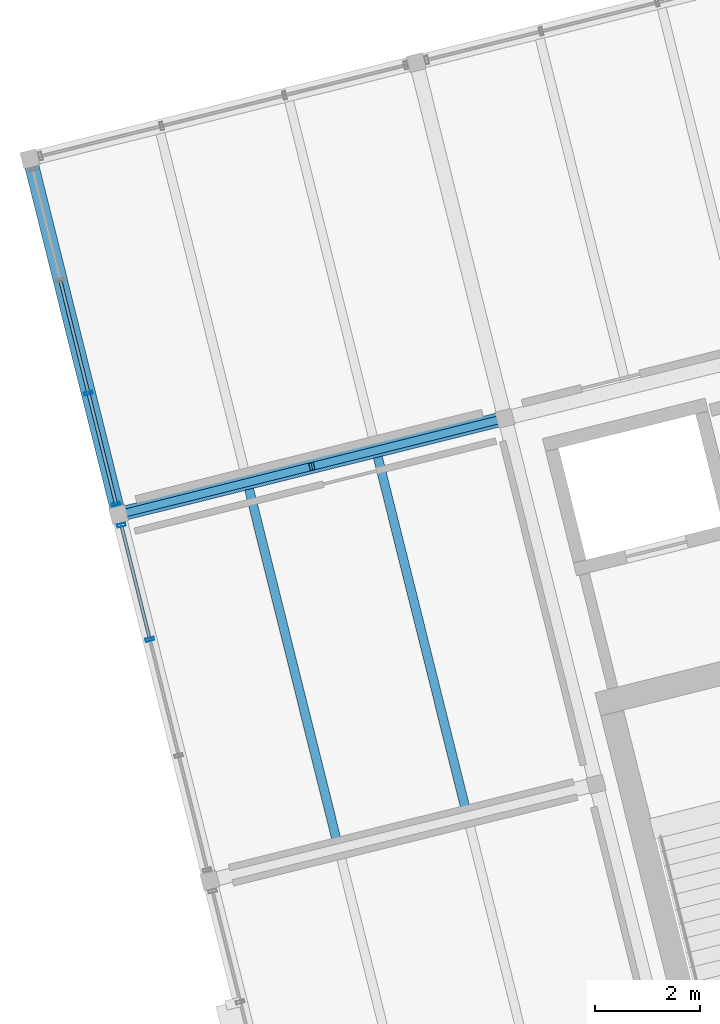
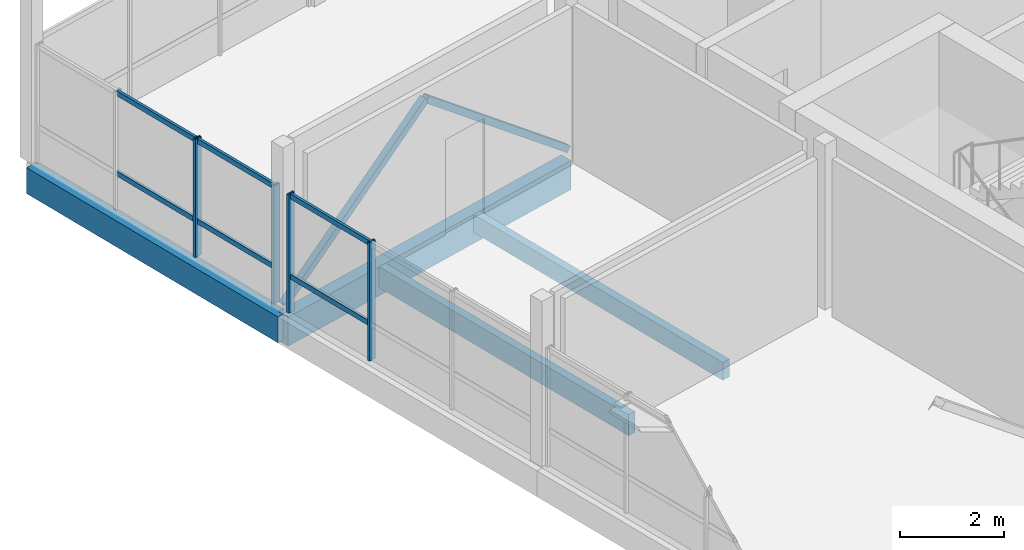
# One storey, part 9 of 25: 12 members, 4 beams, 2 elements without a shape of their own.
"""IFC4 building model written with IfcOpenShell, lengths in metres."""

from ifc_helpers import new_model, si_unit, direction, frame, origin, origin_2d, place, context, subcontext, project, spatial, rectangle, hollow_rectangle, extrude, material, layer, layer_set, material_profile, profile_set, type_object, element, aggregate, save


model = new_model("IFC4")

# Units and contexts
model_context = context("Model", 3, precision=1e-05, world=origin(), true_north=direction((0.0, 1.0)))
body_context = subcontext(model_context, "Body", "Model", "MODEL_VIEW")
ifc_project = project(units=[si_unit("LENGTHUNIT", "METRE"), si_unit("AREAUNIT", "SQUARE_METRE"), si_unit("VOLUMEUNIT", "CUBIC_METRE"), si_unit("PLANEANGLEUNIT", "RADIAN"), si_unit("MASSUNIT", "GRAM", prefix="KILO")], contexts=[model_context])

# Site, building, storey
site_placement = place(None, origin())
site = spatial("IfcSite", under=ifc_project, at=site_placement, CompositionType="ELEMENT")
building_placement = place(site_placement, origin())
building = spatial("IfcBuilding", under=site, at=building_placement, Name="Meriwether Solvik Hall", CompositionType="ELEMENT")
storey_placement = place(building_placement, frame((0.0, 0.0, 49.5)))
storey = spatial("IfcBuildingStorey", under=building, at=storey_placement, Name="L12", CompositionType="ELEMENT", Elevation=49.5)

# Beams
ifc_material_1 = material(Name="Glulam Douglas-Fir 24F-V8 GL28h", Category="wood")
ifc_material_profile_1 = material_profile(ifc_material_1, rectangle(XDim=0.27294921875, YDim=0.610107421875, at=origin_2d()), Name="GLB-273X610")
ifc_profile_set_1 = profile_set([ifc_material_profile_1], Name="Glulam Douglas-Fir 24F-V8 GL28h")
beam_type_1 = type_object("IfcBeamType", Name="BM-GL-273X610", PredefinedType="SPANDREL", material=ifc_profile_set_1)
beam_1_placement = place(storey_placement, frame((63.51953125, 61.576171875, -0.485107421875), z_axis=(-0.241911879182, 0.970298223594, 0.0), x_axis=(-0.970298223594, -0.241911879182, 0.0)))
element("IfcBeam", 1, at=beam_1_placement, inside=storey, type_object=beam_type_1, Name="Tower Girder T1:TD-TE (L12)", PredefinedType="SPANDREL", context=body_context, shape_type="SweptSolid", body=[
    extrude(rectangle(XDim=0.27294921875, YDim=0.610107421875, at=origin_2d()), origin(), (0.0, 0.0, 1.0), 7.0),
])
ifc_material_2 = material(Name="Glulam Douglas-Fir 24F-V8 GL28h", Category="wood")
ifc_material_profile_2 = material_profile(ifc_material_2, rectangle(XDim=0.27294921875, YDim=0.68505859375, at=origin_2d()), Name="GLB-273X685")
ifc_profile_set_2 = profile_set([ifc_material_profile_2], Name="Glulam Douglas-Fir 24F-V8 GL28h")
beam_type_2 = type_object("IfcBeamType", Name="BM-GL-273X685", PredefinedType="BEAM", material=ifc_profile_set_2)
beam_2_placement = place(storey_placement, frame((63.51953125, 61.576171875, -0.5224609375), z_axis=(0.970295366785, 0.241923337436, 0.0), x_axis=(-0.241923337436, 0.970295366785, 0.0)))
element("IfcBeam", 2, at=beam_2_placement, inside=storey, type_object=beam_type_2, Name="Tower Girder TD:T1-T2 (L12)", PredefinedType="BEAM", context=body_context, shape_type="SweptSolid", body=[
    extrude(rectangle(XDim=0.27294921875, YDim=0.68505859375, at=origin_2d()), origin(), (0.0, 0.0, 1.0), 7.60009765625),
])

# Curtain wall, members
ifc_material_3 = material(Name="Thermally Broken Anodised Aluminium 6063-T6 and Low-E Glass", Category="aluminium")
ifc_layer_1 = layer(ifc_material_3, 0.179931640625)
ifc_layer_set_1 = layer_set([ifc_layer_1], Name="Thermally Broken Anodised Aluminium 6063-T6 and Low-E Glass")
curtain_wall_type_1 = type_object("IfcCurtainWallType", Name="CW-UNIT-A", PredefinedType="USERDEFINED", material=ifc_layer_set_1)
curtain_wall_1_placement = place(storey_placement, origin())
curtain_wall_1 = element("IfcCurtainWall", 3, at=curtain_wall_1_placement, inside=storey, type_object=curtain_wall_type_1, Name="Curtain Wall E3_B2 (L12)", ObjectType="UNITISED CURTAIN WALL", PredefinedType="USERDEFINED")
ifc_material_4 = material(Name="Anodised Aluminium 6063-T6", Category="aluminium")
ifc_material_profile_3 = material_profile(ifc_material_4, hollow_rectangle(XDim=0.06005859375, YDim=0.159912109375, WallThickness=0.00390625, at=origin_2d()), Name="CWM-60X160")
ifc_profile_set_3 = profile_set([ifc_material_profile_3], Name="Anodised Aluminium 6063-T6")
member_type_1 = type_object("IfcMemberType", Name="CW-MUL-60X160", PredefinedType="MULLION", material=ifc_profile_set_3)
member_1_placement = place(storey_placement, frame((64.114013671875, 59.192626953125, 0.0), z_axis=(0.0, 0.0, 1.0), x_axis=(-0.241921877598, 0.970295730764, 0.0)))
member_1 = element("IfcMember", 4, at=member_1_placement, type_object=member_type_1, Name="Curtain Wall Mullion 3", PredefinedType="MULLION", context=body_context, shape_type="SweptSolid", body=[
    extrude(hollow_rectangle(XDim=0.06005859375, YDim=0.159912109375, WallThickness=0.00390625, at=origin_2d()), origin(), (0.0, 0.0, 1.0), 2.7900390625),
])
member_2_placement = place(storey_placement, frame((63.56982421875, 61.374755859375, 0.0), z_axis=(0.0, 0.0, 1.0), x_axis=(-0.241921877598, 0.970295730764, 0.0)))
member_2 = element("IfcMember", 5, at=member_2_placement, type_object=member_type_1, Name="Curtain Wall Mullion 4", PredefinedType="MULLION", context=body_context, shape_type="SweptSolid", body=[
    extrude(hollow_rectangle(XDim=0.06005859375, YDim=0.159912109375, WallThickness=0.00390625, at=origin_2d()), origin(), (0.0, 0.0, 1.0), 2.7900390625),
])

ifc_material_5 = material(Name="Thermally Broken Anodised Aluminium 6063-T6 and Low-E Glass", Category="aluminium")
ifc_layer_2 = layer(ifc_material_5, 0.179931640625)
ifc_layer_set_2 = layer_set([ifc_layer_2], Name="Thermally Broken Anodised Aluminium 6063-T6 and Low-E Glass")
curtain_wall_type_2 = type_object("IfcCurtainWallType", Name="CW-UNIT-B", PredefinedType="USERDEFINED", material=ifc_layer_set_2)
curtain_wall_2_placement = place(storey_placement, origin())
curtain_wall_2 = element("IfcCurtainWall", 6, at=curtain_wall_2_placement, inside=storey, type_object=curtain_wall_type_2, Name="Curtain Wall E3_B3 (L12)", ObjectType="UNITISED CURTAIN WALL", PredefinedType="USERDEFINED")
member_3_placement = place(storey_placement, frame((63.469482421875, 61.777587890625, 0.0), z_axis=(0.0, 0.0, 1.0), x_axis=(-0.241921784185, 0.970295754055, 0.0)))
member_3 = element("IfcMember", 7, at=member_3_placement, type_object=member_type_1, Name="Curtain Wall Mullion 1", PredefinedType="MULLION", context=body_context, shape_type="SweptSolid", body=[
    extrude(hollow_rectangle(XDim=0.06005859375, YDim=0.159912109375, WallThickness=0.00390625, at=origin_2d()), origin(), (0.0, 0.0, 1.0), 2.7900390625),
])
member_4_placement = place(storey_placement, frame((62.94140625, 63.89501953125, 0.0), z_axis=(0.0, 0.0, 1.0), x_axis=(-0.241921784185, 0.970295754055, 0.0)))
member_4 = element("IfcMember", 8, at=member_4_placement, type_object=member_type_1, Name="Curtain Wall Mullion 2", PredefinedType="MULLION", context=body_context, shape_type="SweptSolid", body=[
    extrude(hollow_rectangle(XDim=0.06005859375, YDim=0.159912109375, WallThickness=0.00390625, at=origin_2d()), origin(), (0.0, 0.0, 1.0), 2.7900390625),
])

# Member
ifc_material_6 = material(Name="Anodised Aluminium 6063-T6", Category="aluminium")
ifc_material_profile_4 = material_profile(ifc_material_6, hollow_rectangle(XDim=0.06005859375, YDim=0.1201171875, WallThickness=0.00390625, at=origin_2d()), Name="CWT-60X120")
ifc_profile_set_4 = profile_set([ifc_material_profile_4], Name="Anodised Aluminium 6063-T6")
member_type_2 = type_object("IfcMemberType", Name="CW-TRN-60X120", PredefinedType="USERDEFINED", material=ifc_profile_set_4)
member_5_placement = place(storey_placement, frame((64.114013671875, 59.192626953125, 0.8369140625), z_axis=(-0.241973642025, 0.970282822978, 0.0), x_axis=(-0.970282822978, -0.241973642025, 0.0)))
member_5 = element("IfcMember", 9, at=member_5_placement, type_object=member_type_2, Name="Curtain Wall Transom 3-sill", ObjectType="TRANSOM", PredefinedType="USERDEFINED", context=body_context, shape_type="SweptSolid", body=[
    extrude(hollow_rectangle(XDim=0.06005859375, YDim=0.1201171875, WallThickness=0.00390625, at=origin_2d()), origin(), (0.0, 0.0, 1.0), 2.2490234375),
])

member_6_placement = place(storey_placement, frame((64.114013671875, 59.192626953125, 2.72998046875), z_axis=(-0.241973642025, 0.970282822978, 0.0), x_axis=(-0.970282822978, -0.241973642025, 0.0)))
member_6 = element("IfcMember", 10, at=member_6_placement, type_object=member_type_2, Name="Curtain Wall Transom 3-head", ObjectType="TRANSOM", PredefinedType="USERDEFINED", context=body_context, shape_type="SweptSolid", body=[
    extrude(hollow_rectangle(XDim=0.06005859375, YDim=0.1201171875, WallThickness=0.00390625, at=origin_2d()), origin(), (0.0, 0.0, 1.0), 2.2490234375),
])

aggregate(curtain_wall_1, [member_1, member_2, member_5, member_6])

member_7_placement = place(storey_placement, frame((63.469482421875, 61.777587890625, 0.8369140625), z_axis=(-0.241982798004, 0.970280539571, 0.0), x_axis=(-0.970280539571, -0.241982798004, 0.0)))
member_7 = element("IfcMember", 11, at=member_7_placement, type_object=member_type_2, Name="Curtain Wall Transom 1-sill", ObjectType="TRANSOM", PredefinedType="USERDEFINED", context=body_context, shape_type="SweptSolid", body=[
    extrude(hollow_rectangle(XDim=0.06005859375, YDim=0.1201171875, WallThickness=0.00390625, at=origin_2d()), origin(), (0.0, 0.0, 1.0), 2.182373046875),
])

member_8_placement = place(storey_placement, frame((63.469482421875, 61.777587890625, 2.72998046875), z_axis=(-0.241982798004, 0.970280539571, 0.0), x_axis=(-0.970280539571, -0.241982798004, 0.0)))
member_8 = element("IfcMember", 12, at=member_8_placement, type_object=member_type_2, Name="Curtain Wall Transom 1-head", ObjectType="TRANSOM", PredefinedType="USERDEFINED", context=body_context, shape_type="SweptSolid", body=[
    extrude(hollow_rectangle(XDim=0.06005859375, YDim=0.1201171875, WallThickness=0.00390625, at=origin_2d()), origin(), (0.0, 0.0, 1.0), 2.182373046875),
])

member_9_placement = place(storey_placement, frame((62.94140625, 63.89501953125, 0.8369140625), z_axis=(-0.241888809617, 0.970303974939, 0.0), x_axis=(-0.970303974939, -0.241888809617, 0.0)))
member_9 = element("IfcMember", 13, at=member_9_placement, type_object=member_type_2, Name="Curtain Wall Transom 2-sill", ObjectType="TRANSOM", PredefinedType="USERDEFINED", context=body_context, shape_type="SweptSolid", body=[
    extrude(hollow_rectangle(XDim=0.06005859375, YDim=0.1201171875, WallThickness=0.00390625, at=origin_2d()), origin(), (0.0, 0.0, 1.0), 2.220458984375),
])

member_10_placement = place(storey_placement, frame((62.94140625, 63.89501953125, 2.72998046875), z_axis=(-0.241888809617, 0.970303974939, 0.0), x_axis=(-0.970303974939, -0.241888809617, 0.0)))
member_10 = element("IfcMember", 14, at=member_10_placement, type_object=member_type_2, Name="Curtain Wall Transom 2-head", ObjectType="TRANSOM", PredefinedType="USERDEFINED", context=body_context, shape_type="SweptSolid", body=[
    extrude(hollow_rectangle(XDim=0.06005859375, YDim=0.1201171875, WallThickness=0.00390625, at=origin_2d()), origin(), (0.0, 0.0, 1.0), 2.220458984375),
])

aggregate(curtain_wall_2, [member_3, member_4, member_7, member_8, member_9, member_10])

# Beams
ifc_material_7 = material(Name="Glulam Douglas-Fir 24F-V8 GL28h", Category="wood")
ifc_material_profile_5 = material_profile(ifc_material_7, rectangle(XDim=0.175048828125, YDim=0.419921875, at=origin_2d()), Name="GLJ-175X420")
ifc_profile_set_5 = profile_set([ifc_material_profile_5], Name="Glulam Douglas-Fir 24F-V8 GL28h")
beam_type_3 = type_object("IfcBeamType", Name="JST-GL-175X420", PredefinedType="JOIST", material=ifc_profile_set_5)
beam_3_placement = place(storey_placement, frame((70.145751953125, 55.943359375, -0.389892578125), z_axis=(-0.241922788949, 0.970295503539, 0.0), x_axis=(-0.970295503539, -0.241922788949, 0.0)))
element("IfcBeam", 15, at=beam_3_placement, inside=storey, type_object=beam_type_3, Name="Glulam Floor Joist T1/TC-J2 (L12)", PredefinedType="JOIST", context=body_context, shape_type="SweptSolid", body=[
    extrude(rectangle(XDim=0.175048828125, YDim=0.419921875, at=origin_2d()), origin(), (0.0, 0.0, 1.0), 6.93701171875),
])
ifc_material_8 = material(Name="Glulam Douglas-Fir 24F-V8 GL28h", Category="wood")
ifc_material_profile_6 = material_profile(ifc_material_8, rectangle(XDim=0.175048828125, YDim=0.4951171875, at=origin_2d()), Name="GLJ-175X495")
ifc_profile_set_6 = profile_set([ifc_material_profile_6], Name="Glulam Douglas-Fir 24F-V8 GL28h")
beam_type_4 = type_object("IfcBeamType", Name="JST-GL-175X495", PredefinedType="JOIST", material=ifc_profile_set_6)
beam_4_placement = place(storey_placement, frame((67.687744140625, 55.33056640625, -0.427490234375), z_axis=(-0.241922788949, 0.970295503539, 0.0), x_axis=(-0.970295503539, -0.241922788949, 0.0)))
element("IfcBeam", 16, at=beam_4_placement, inside=storey, type_object=beam_type_4, Name="Glulam Floor Joist T1/TC-J1 (L12)", PredefinedType="JOIST", context=body_context, shape_type="SweptSolid", body=[
    extrude(rectangle(XDim=0.175048828125, YDim=0.4951171875, at=origin_2d()), origin(), (0.0, 0.0, 1.0), 6.93701171875),
])

# Members
ifc_material_9 = material(Name="Steel A500 Grade C", Category="steel")
ifc_material_profile_7 = material_profile(ifc_material_9, hollow_rectangle(XDim=0.152099609375, YDim=0.152099609375, WallThickness=0.009521484375, at=origin_2d()), Name="HSS152X152X9.5")
ifc_profile_set_7 = profile_set([ifc_material_profile_7], Name="Steel A500 Grade C")
member_type_3 = type_object("IfcMemberType", Name="MEM-BR-HSS152", PredefinedType="BRACE", material=ifc_profile_set_7)
member_11_placement = place(storey_placement, frame((63.51953125, 61.576171875, 0.050048828125), z_axis=(0.75915038306, 0.189297513249, 0.622781781508), x_axis=(-0.241946039438, 0.970289706222, 0.0)))
element("IfcMember", 17, at=member_11_placement, inside=storey, type_object=member_type_3, Name="Tower Chevron Brace L12-B2A", PredefinedType="BRACE", context=body_context, shape_type="SweptSolid", body=[
    extrude(hollow_rectangle(XDim=0.152099609375, YDim=0.152099609375, WallThickness=0.009521484375, at=origin_2d()), origin(), (0.0, 0.0, 1.0), 4.857177734375),
])
member_12_placement = place(storey_placement, frame((70.893798828125, 63.414794921875, 0.050048828125), z_axis=(-0.759136307902, -0.189256270643, 0.622811472315), x_axis=(0.241900633533, -0.970301027257, 0.0)))
element("IfcMember", 18, at=member_12_placement, inside=storey, type_object=member_type_3, Name="Tower Chevron Brace L12-B2B", PredefinedType="BRACE", context=body_context, shape_type="SweptSolid", body=[
    extrude(hollow_rectangle(XDim=0.152099609375, YDim=0.152099609375, WallThickness=0.009521484375, at=origin_2d()), origin(), (0.0, 0.0, 1.0), 4.85693359375),
])

save(model, "model.ifc")
